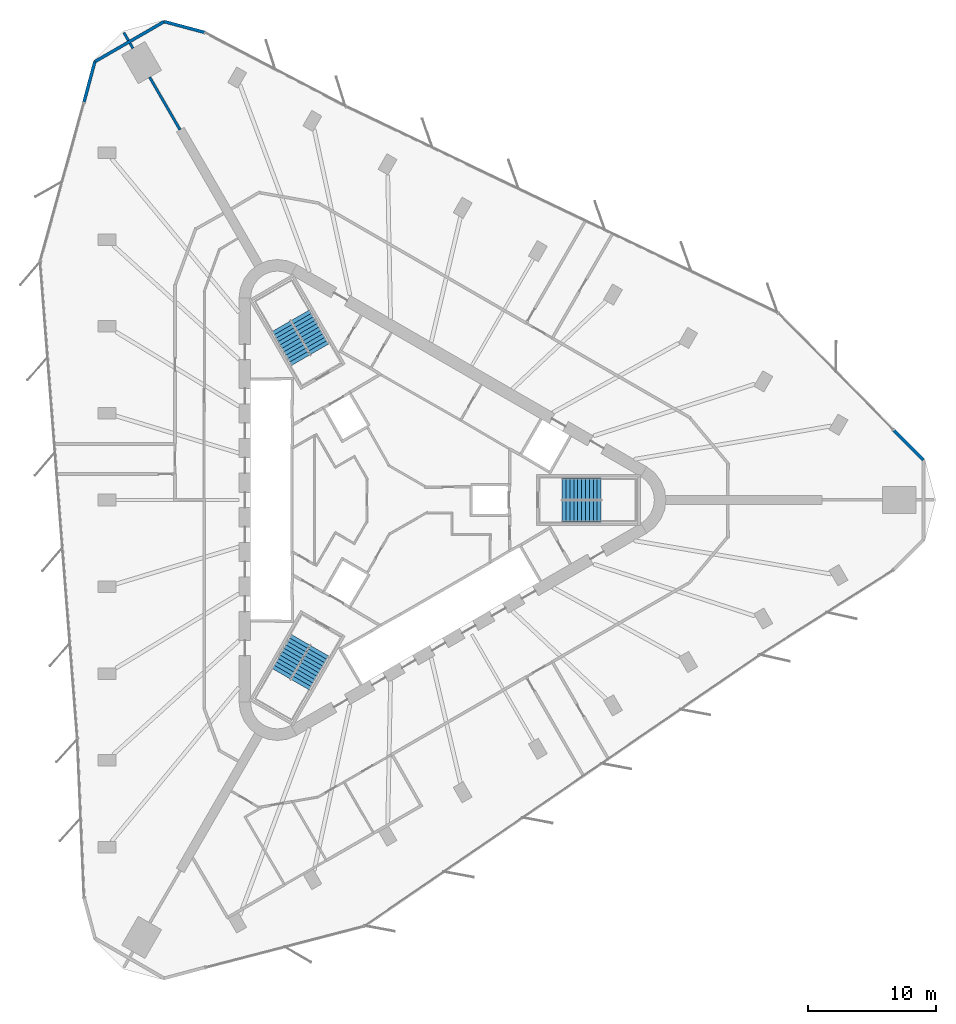
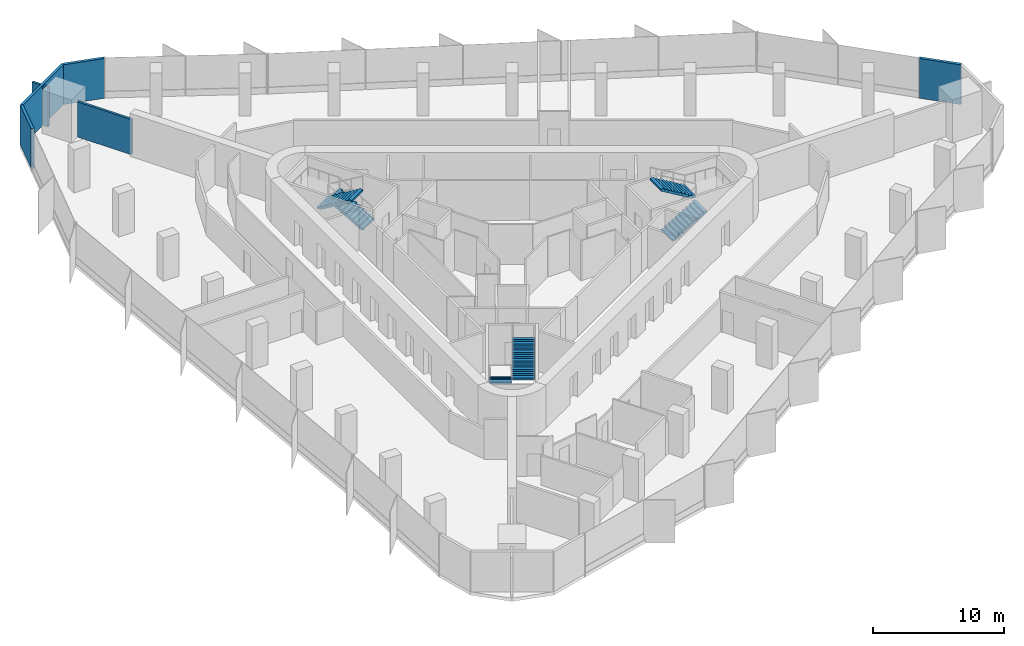
# One storey, part 12 of 13: 7 walls, 6 stair flights, 3 elements without a shape of their own.
"""IFC4 building model written with IfcOpenShell, lengths in metres."""

from ifc_helpers import new_model, si_unit, direction, frame, frame_2d, origin, place, context, subcontext, project, spatial, polyline, rectangle, outline, extrude, material, layer, layer_set, type_object, element, aggregate, save


model = new_model("IFC4")

# Units and contexts
model_context = context("Model", 3, precision=1e-05, world=origin(), true_north=direction((0.0, 1.0)))
body_context = subcontext(model_context, "Body", "Model", "MODEL_VIEW")
ifc_project = project(units=[si_unit("LENGTHUNIT", "METRE"), si_unit("AREAUNIT", "SQUARE_METRE"), si_unit("VOLUMEUNIT", "CUBIC_METRE"), si_unit("PLANEANGLEUNIT", "RADIAN"), si_unit("MASSUNIT", "GRAM", prefix="KILO")], contexts=[model_context])

# Site, building, storey
site_placement = place(None, origin())
site = spatial("IfcSite", under=ifc_project, at=site_placement, CompositionType="ELEMENT")
building_placement = place(site_placement, origin())
building = spatial("IfcBuilding", under=site, at=building_placement, Name="Tanit Gate Tower", CompositionType="ELEMENT")
storey_placement = place(building_placement, frame((0.0, 0.0, 185.199951171875)))
storey = spatial("IfcBuildingStorey", under=building, at=storey_placement, Name="L40", CompositionType="ELEMENT", Elevation=185.199951171875)

# Walls
ifc_material_1 = material(Name="Concrete C30/37 with bronze anodised aluminium cladding", Category="concrete")
ifc_layer_1 = layer(ifc_material_1, 0.239990234375)
ifc_layer_set_1 = layer_set([ifc_layer_1], Name="Facade wall bronze clad 240")
wall_type_1 = type_object("IfcWallType", Name="Facade wall bronze clad 240", PredefinedType="SOLIDWALL", material=ifc_layer_set_1)
wall_1_placement = place(storey_placement, frame((-14.79296875, 36.479248046875, 0.0), z_axis=(0.0, 0.0, 1.0), x_axis=(-0.965934328549, 0.258787312151, 0.0)))
element("IfcWall", 1, at=wall_1_placement, inside=storey, type_object=wall_type_1, Name="Bronze-clad facade wall L40 NW.arc1", PredefinedType="SOLIDWALL", context=body_context, shape_type="SweptSolid", body=[
    extrude(rectangle(XDim=3.255615234375, YDim=0.239990234375, at=frame_2d((1.6279296875, 0.0))), origin(), (0.0, 0.0, 1.0), 3.699951171875),
])
wall_2_placement = place(storey_placement, frame((-17.937744140625, 37.32177734375, 0.0), z_axis=(0.0, 0.0, 1.0), x_axis=(-0.866019130722, -0.500010865105, 0.0)))
element("IfcWall", 2, at=wall_2_placement, inside=storey, type_object=wall_type_1, Name="Bronze-clad facade wall L40 NW.arc2", PredefinedType="SOLIDWALL", context=body_context, shape_type="SweptSolid", body=[
    extrude(rectangle(XDim=6.252685546875, YDim=0.239990234375, at=frame_2d((3.12646484375, 0.0))), origin(), (0.0, 0.0, 1.0), 3.699951171875),
])
wall_3_placement = place(storey_placement, frame((-23.352783203125, 34.1953125, 0.0), z_axis=(0.0, 0.0, 1.0), x_axis=(-0.258843094037, -0.965919382076, 0.0)))
element("IfcWall", 3, at=wall_3_placement, inside=storey, type_object=wall_type_1, Name="Bronze-clad facade wall L40 NW.arc3", PredefinedType="SOLIDWALL", context=body_context, shape_type="SweptSolid", body=[
    extrude(rectangle(XDim=3.26904296875, YDim=0.239990234375, at=frame_2d((1.634521484375, 0.0))), origin(), (0.0, 0.0, 1.0), 3.699951171875),
])
wall_4_placement = place(storey_placement, frame((41.29052734375, 3.12646484375, 0.0), z_axis=(0.0, 0.0, 1.0), x_axis=(-0.707106781187, 0.707106781187, 0.0)))
element("IfcWall", 4, at=wall_4_placement, inside=storey, type_object=wall_type_1, Name="Bronze-clad facade wall L40 E.arc3", PredefinedType="SOLIDWALL", context=body_context, shape_type="SweptSolid", body=[
    extrude(rectangle(XDim=3.269287109375, YDim=0.239990234375, at=frame_2d((1.634765625, 0.0))), origin(), (0.0, 0.0, 1.0), 3.699951171875),
])
ifc_material_2 = material(Name="Fire-rated gypsum board partition")
ifc_layer_2 = layer(ifc_material_2, 0.199951171875)
ifc_layer_set_2 = layer_set([ifc_layer_2], Name="INT-WALL-COMPARTMENT")
wall_type_2 = type_object("IfcWallType", Name="INT-WALL-COMPARTMENT", PredefinedType="PARTITIONING", material=ifc_layer_set_2)
wall_5_placement = place(storey_placement, frame((-21.0859375, 36.462158203125, 0.0), z_axis=(0.0, 0.0, 1.0), x_axis=(0.499801860585, -0.866139769411, 0.0)))
element("IfcWall", 5, at=wall_5_placement, inside=storey, type_object=wall_type_2, Name="Wall Compartment W117", PredefinedType="PARTITIONING", context=body_context, shape_type="SweptSolid", body=[
    extrude(rectangle(XDim=0.709716796875, YDim=0.199951171875, at=frame_2d((0.35498046875, 0.0))), origin(), (0.0, 0.0, 1.0), 3.699951171875),
])
wall_6_placement = place(storey_placement, frame((-20.611083984375, 35.6396484375, 0.0), z_axis=(0.0, 0.0, 1.0), x_axis=(0.499842898591, -0.866116087328, 0.0)))
element("IfcWall", 6, at=wall_6_placement, inside=storey, type_object=wall_type_2, Name="Wall Compartment W117x1", PredefinedType="PARTITIONING", context=body_context, shape_type="SweptSolid", body=[
    extrude(rectangle(XDim=0.468017578125, YDim=0.199951171875, at=frame_2d((0.23388671875, 0.0))), origin(), (0.0, 0.0, 1.0), 3.699951171875),
])
wall_7_placement = place(storey_placement, frame((-19.0771484375, 32.982666015625, 0.0), z_axis=(0.0, 0.0, 1.0), x_axis=(0.499978475836, -0.86603783041, 0.0)))
element("IfcWall", 7, at=wall_7_placement, inside=storey, type_object=wall_type_2, Name="Wall Compartment W118", PredefinedType="PARTITIONING", context=body_context, shape_type="SweptSolid", body=[
    extrude(rectangle(XDim=4.732666015625, YDim=0.199951171875, at=frame_2d((2.3662109375, 0.0))), origin(), (0.0, 0.0, 1.0), 3.27001953125),
])

# Stair, stair flights
ifc_material_3 = material(Name="Concrete C40/50", Category="concrete")
stair_type = type_object("IfcStairType", Name="INT-STAIR-EXIT", PredefinedType="HALF_TURN_STAIR", material=ifc_material_3)
stair_1_placement = place(storey_placement, origin())
stair_1 = element("IfcStair", 8, at=stair_1_placement, inside=storey, type_object=stair_type, Name="L40 STAIR S1", PredefinedType="HALF_TURN_STAIR")
ifc_material_4 = material(Name="Concrete C40/50", Category="concrete")
stair_flight_type = type_object("IfcStairFlightType", Name="INT-STAIR-FLIGHT", PredefinedType="STRAIGHT", material=ifc_material_4)
stair_flight_1_placement = place(storey_placement, frame((13.094970703125, -0.8525390625, 0.0), z_axis=(0.0, 0.0, 1.0), x_axis=(1.0, 0.0, 0.0)))
stair_flight_1 = element("IfcStairFlight", 9, at=stair_flight_1_placement, type_object=stair_flight_type, Name="S1 flight 1", NumberOfRisers=11, NumberOfTreads=10, PredefinedType="STRAIGHT", RiserHeight=0.181818182, TreadLength=0.3051, context=body_context, shape_type="SweptSolid", body=[
    extrude(outline(polyline([(0.0, 0.0), (0.0, 0.181884765625), (0.30517578125, 0.181884765625), (0.30517578125, 0.363525390625), (0.610107421875, 0.363525390625), (0.610107421875, 0.54541015625), (0.915283203125, 0.54541015625), (0.915283203125, 0.727294921875), (1.220458984375, 0.727294921875), (1.220458984375, 0.9091796875), (1.525390625, 0.9091796875), (1.525390625, 1.0908203125), (1.83056640625, 1.0908203125), (1.83056640625, 1.272705078125), (2.1357421875, 1.272705078125), (2.1357421875, 1.45458984375), (2.44091796875, 1.45458984375), (2.44091796875, 1.636474609375), (2.745849609375, 1.636474609375), (2.745849609375, 1.818115234375), (3.051025390625, 1.818115234375), (3.051025390625, 2.0), (3.051025390625, 1.643798828125), (0.292724609375, 0.0), (0.0, 0.0)])), frame((0.0, 0.84765625, 0.0), z_axis=(0.0, -1.0, 0.0), x_axis=(1.0, 0.0, 0.0)), (0.0, 0.0, 1.0), 1.695068359375),
])
stair_flight_2_placement = place(storey_placement, frame((16.14599609375, 0.8525390625, 2.0), z_axis=(0.0, 0.0, 1.0), x_axis=(-1.0, 0.0, 0.0)))
stair_flight_2 = element("IfcStairFlight", 10, at=stair_flight_2_placement, type_object=stair_flight_type, Name="S1 flight 2", NumberOfRisers=11, NumberOfTreads=10, PredefinedType="STRAIGHT", RiserHeight=0.181818182, TreadLength=0.3051, context=body_context, shape_type="SweptSolid", body=[
    extrude(outline(polyline([(0.0, 0.0), (0.0, 0.181884765625), (0.30517578125, 0.181884765625), (0.30517578125, 0.363525390625), (0.610107421875, 0.363525390625), (0.610107421875, 0.54541015625), (0.915283203125, 0.54541015625), (0.915283203125, 0.727294921875), (1.220458984375, 0.727294921875), (1.220458984375, 0.9091796875), (1.525390625, 0.9091796875), (1.525390625, 1.0908203125), (1.83056640625, 1.0908203125), (1.83056640625, 1.272705078125), (2.1357421875, 1.272705078125), (2.1357421875, 1.45458984375), (2.44091796875, 1.45458984375), (2.44091796875, 1.636474609375), (2.745849609375, 1.636474609375), (2.745849609375, 1.818115234375), (3.051025390625, 1.818115234375), (3.051025390625, 2.0), (3.051025390625, 1.643798828125), (0.292724609375, 0.0), (0.0, 0.0)])), frame((0.0, 0.84765625, 0.0), z_axis=(0.0, -1.0, 0.0), x_axis=(1.0, 0.0, 0.0)), (0.0, 0.0, 1.0), 1.695068359375),
])
aggregate(stair_1, [stair_flight_1, stair_flight_2])

stair_2_placement = place(storey_placement, origin())
stair_2 = element("IfcStair", 11, at=stair_2_placement, inside=storey, type_object=stair_type, Name="L40 STAIR S2", PredefinedType="HALF_TURN_STAIR")
stair_flight_3_placement = place(storey_placement, frame((-5.808349609375, 11.766357421875, 0.0), z_axis=(0.0, 0.0, 1.0), x_axis=(-0.5, 0.866025403784, 0.0)))
stair_flight_3 = element("IfcStairFlight", 12, at=stair_flight_3_placement, type_object=stair_flight_type, Name="S2 flight 1", NumberOfRisers=11, NumberOfTreads=10, PredefinedType="STRAIGHT", RiserHeight=0.181818182, TreadLength=0.30492, context=body_context, shape_type="SweptSolid", body=[
    extrude(outline(polyline([(0.0, 0.0), (0.0, 0.181884765625), (0.304931640625, 0.181884765625), (0.304931640625, 0.363525390625), (0.60986328125, 0.363525390625), (0.60986328125, 0.54541015625), (0.914794921875, 0.54541015625), (0.914794921875, 0.727294921875), (1.2197265625, 0.727294921875), (1.2197265625, 0.9091796875), (1.524658203125, 0.9091796875), (1.524658203125, 1.0908203125), (1.82958984375, 1.0908203125), (1.82958984375, 1.272705078125), (2.134521484375, 1.272705078125), (2.134521484375, 1.45458984375), (2.439453125, 1.45458984375), (2.439453125, 1.636474609375), (2.744384765625, 1.636474609375), (2.744384765625, 1.818115234375), (3.04931640625, 1.818115234375), (3.04931640625, 2.0), (3.04931640625, 1.6435546875), (0.292724609375, 0.0), (0.0, 0.0)])), frame((0.0, 0.84716796875, 0.0), z_axis=(0.0, -1.0, 0.0), x_axis=(1.0, 0.0, 0.0)), (0.0, 0.0, 1.0), 1.694091796875),
])
stair_flight_4_placement = place(storey_placement, frame((-8.810302734375, 13.553955078125, 2.0), z_axis=(0.0, 0.0, 1.0), x_axis=(0.5, -0.866025403784, 0.0)))
stair_flight_4 = element("IfcStairFlight", 13, at=stair_flight_4_placement, type_object=stair_flight_type, Name="S2 flight 2", NumberOfRisers=11, NumberOfTreads=10, PredefinedType="STRAIGHT", RiserHeight=0.181818182, TreadLength=0.30492, context=body_context, shape_type="SweptSolid", body=[
    extrude(outline(polyline([(0.0, 0.0), (0.0, 0.181884765625), (0.304931640625, 0.181884765625), (0.304931640625, 0.363525390625), (0.60986328125, 0.363525390625), (0.60986328125, 0.54541015625), (0.914794921875, 0.54541015625), (0.914794921875, 0.727294921875), (1.2197265625, 0.727294921875), (1.2197265625, 0.9091796875), (1.524658203125, 0.9091796875), (1.524658203125, 1.0908203125), (1.82958984375, 1.0908203125), (1.82958984375, 1.272705078125), (2.134521484375, 1.272705078125), (2.134521484375, 1.45458984375), (2.439453125, 1.45458984375), (2.439453125, 1.636474609375), (2.744384765625, 1.636474609375), (2.744384765625, 1.818115234375), (3.04931640625, 1.818115234375), (3.04931640625, 2.0), (3.04931640625, 1.6435546875), (0.292724609375, 0.0), (0.0, 0.0)])), frame((0.0, 0.84716796875, 0.0), z_axis=(0.0, -1.0, 0.0), x_axis=(1.0, 0.0, 0.0)), (0.0, 0.0, 1.0), 1.694091796875),
])
aggregate(stair_2, [stair_flight_3, stair_flight_4])

stair_3_placement = place(storey_placement, origin())
stair_3 = element("IfcStair", 14, at=stair_3_placement, inside=storey, type_object=stair_type, Name="L40 STAIR S3", PredefinedType="HALF_TURN_STAIR")
stair_flight_5_placement = place(storey_placement, frame((-7.285888671875, -10.914306640625, 0.0), z_axis=(0.0, 0.0, 1.0), x_axis=(-0.5, -0.866025403784, 0.0)))
stair_flight_5 = element("IfcStairFlight", 15, at=stair_flight_5_placement, type_object=stair_flight_type, Name="S3 flight 1", NumberOfRisers=11, NumberOfTreads=10, PredefinedType="STRAIGHT", RiserHeight=0.181818182, TreadLength=0.3051, context=body_context, shape_type="SweptSolid", body=[
    extrude(outline(polyline([(0.0, 0.0), (0.0, 0.181884765625), (0.30517578125, 0.181884765625), (0.30517578125, 0.363525390625), (0.610107421875, 0.363525390625), (0.610107421875, 0.54541015625), (0.915283203125, 0.54541015625), (0.915283203125, 0.727294921875), (1.220458984375, 0.727294921875), (1.220458984375, 0.9091796875), (1.525390625, 0.9091796875), (1.525390625, 1.0908203125), (1.83056640625, 1.0908203125), (1.83056640625, 1.272705078125), (2.1357421875, 1.272705078125), (2.1357421875, 1.45458984375), (2.44091796875, 1.45458984375), (2.44091796875, 1.636474609375), (2.745849609375, 1.636474609375), (2.745849609375, 1.818115234375), (3.051025390625, 1.818115234375), (3.051025390625, 2.0), (3.051025390625, 1.643798828125), (0.292724609375, 0.0), (0.0, 0.0)])), frame((0.0, 0.84765625, 0.0), z_axis=(0.0, -1.0, 0.0), x_axis=(1.0, 0.0, 0.0)), (0.0, 0.0, 1.0), 1.695068359375),
])
stair_flight_6_placement = place(storey_placement, frame((-7.334716796875, -14.4091796875, 2.0), z_axis=(0.0, 0.0, 1.0), x_axis=(0.5, 0.866025403784, 0.0)))
stair_flight_6 = element("IfcStairFlight", 16, at=stair_flight_6_placement, type_object=stair_flight_type, Name="S3 flight 2", NumberOfRisers=11, NumberOfTreads=10, PredefinedType="STRAIGHT", RiserHeight=0.181818182, TreadLength=0.3051, context=body_context, shape_type="SweptSolid", body=[
    extrude(outline(polyline([(0.0, 0.0), (0.0, 0.181884765625), (0.30517578125, 0.181884765625), (0.30517578125, 0.363525390625), (0.610107421875, 0.363525390625), (0.610107421875, 0.54541015625), (0.915283203125, 0.54541015625), (0.915283203125, 0.727294921875), (1.220458984375, 0.727294921875), (1.220458984375, 0.9091796875), (1.525390625, 0.9091796875), (1.525390625, 1.0908203125), (1.83056640625, 1.0908203125), (1.83056640625, 1.272705078125), (2.1357421875, 1.272705078125), (2.1357421875, 1.45458984375), (2.44091796875, 1.45458984375), (2.44091796875, 1.636474609375), (2.745849609375, 1.636474609375), (2.745849609375, 1.818115234375), (3.051025390625, 1.818115234375), (3.051025390625, 2.0), (3.051025390625, 1.643798828125), (0.292724609375, 0.0), (0.0, 0.0)])), frame((0.0, 0.84765625, 0.0), z_axis=(0.0, -1.0, 0.0), x_axis=(1.0, 0.0, 0.0)), (0.0, 0.0, 1.0), 1.695068359375),
])
aggregate(stair_3, [stair_flight_5, stair_flight_6])

save(model, "model.ifc")
